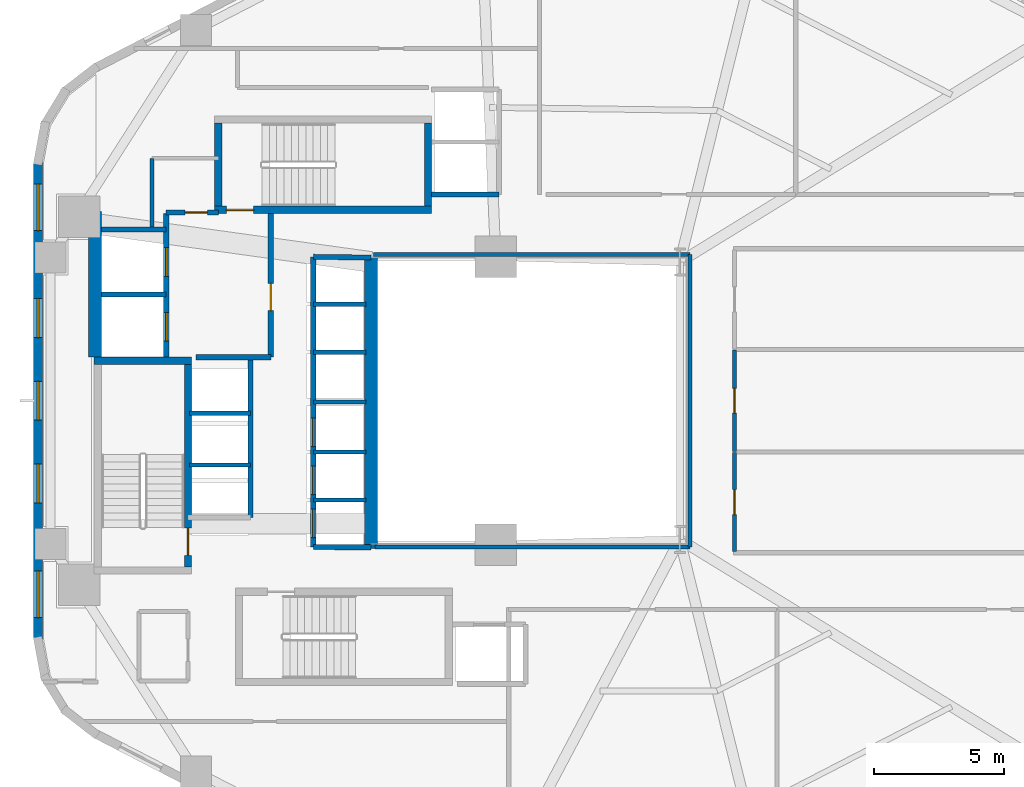
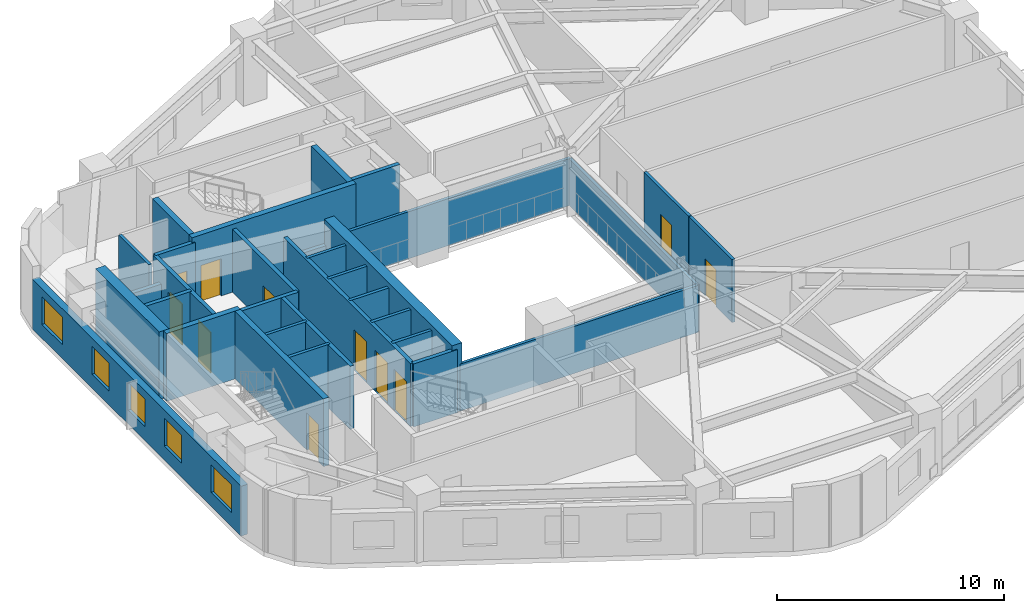
# One storey, part 3 of 7: 32 walls, 11 doors, 5 windows, 16 openings.
"""IFC4 building model written with IfcOpenShell, lengths in metres."""

from ifc_helpers import new_model, si_unit, direction, frame, frame_2d, origin, place, context, subcontext, project, spatial, rectangle, extrude, material, layer, layer_set, type_object, element, fill, save


model = new_model("IFC4")

# Units and contexts
model_context = context("Model", 3, precision=1e-05, world=origin(), true_north=direction((0.0, 1.0)))
body_context = subcontext(model_context, "Body", "Model", "MODEL_VIEW")
ifc_project = project(units=[si_unit("LENGTHUNIT", "METRE"), si_unit("AREAUNIT", "SQUARE_METRE"), si_unit("VOLUMEUNIT", "CUBIC_METRE"), si_unit("PLANEANGLEUNIT", "RADIAN"), si_unit("MASSUNIT", "GRAM", prefix="KILO"), si_unit("THERMODYNAMICTEMPERATUREUNIT", "KELVIN"), si_unit("POWERUNIT", "WATT")], contexts=[model_context])

# Site, building, storey
site_placement = place(None, origin())
site = spatial("IfcSite", under=ifc_project, at=site_placement, CompositionType="ELEMENT")
building_placement = place(site_placement, origin())
building = spatial("IfcBuilding", under=site, at=building_placement, Name="Skarre Station Tower", CompositionType="ELEMENT")
storey_placement = place(building_placement, frame((0.0, 0.0, 70.800048828125)))
storey = spatial("IfcBuildingStorey", under=building, at=storey_placement, Name="L18", CompositionType="ELEMENT", Elevation=70.800048828125)

# Walls
ifc_material_1 = material(Name="Acoustic Steel-Stud Gypsum Partition", Category="steel")
ifc_layer_1 = layer(ifc_material_1, 0.14990234375, Name="Acoustic Steel-Stud Gypsum Partition")
ifc_layer_set_1 = layer_set([ifc_layer_1], Name="Acoustic Steel-Stud Gypsum Partition")
wall_type_1 = type_object("IfcWallType", Name="Fire-Rated Corridor Acoustic Partition 150", PredefinedType="PARTITIONING", material=ifc_layer_set_1)
wall_1_placement = place(storey_placement, frame((19.10009765625, 33.35009765625, 0.0), z_axis=(0.0, 0.0, 1.0), x_axis=(0.0, -1.0, 0.0)))
element("IfcWall", 1, at=wall_1_placement, inside=storey, type_object=wall_type_1, Name="L18 Interior Partition WL-PT-L18-CNW-W", PredefinedType="PARTITIONING", context=body_context, shape_type="SweptSolid", body=[
    extrude(rectangle(XDim=2.655029296875, YDim=0.14990234375, at=frame_2d((1.32763671875, 0.0))), origin(), (0.0, 0.0, 1.0), 3.389892578125),
])
wall_2_placement = place(storey_placement, frame((27.699951171875, 18.360107421875, 0.0), z_axis=(0.0, 0.0, 1.0), x_axis=(1.0, 0.0, 0.0)))
element("IfcWall", 2, at=wall_2_placement, inside=storey, type_object=wall_type_1, Name="L18 Interior Partition WL-PT-L18-ATRW-S", PredefinedType="PARTITIONING", context=body_context, shape_type="SweptSolid", body=[
    extrude(rectangle(XDim=12.14013671875, YDim=0.14990234375, at=frame_2d((6.070068359375, 0.0))), origin(), (0.0, 0.0, 1.0), 2.531005859375),
])
wall_3_placement = place(storey_placement, frame((39.840087890625, 29.639892578125, 0.0), z_axis=(0.0, 0.0, 1.0), x_axis=(-1.0, 0.0, 0.0)))
element("IfcWall", 3, at=wall_3_placement, inside=storey, type_object=wall_type_1, Name="L18 Interior Partition WL-PT-L18-ATRW-N", PredefinedType="PARTITIONING", context=body_context, shape_type="SweptSolid", body=[
    extrude(rectangle(XDim=12.2001953125, YDim=0.14990234375, at=frame_2d((6.10009765625, 0.0))), origin(), (0.0, 0.0, 1.0), 2.531005859375),
])
wall_4_placement = place(storey_placement, frame((39.840087890625, 18.360107421875, 0.0), z_axis=(0.0, 0.0, 1.0), x_axis=(0.0, 1.0, 0.0)))
element("IfcWall", 4, at=wall_4_placement, inside=storey, type_object=wall_type_1, Name="L18 Interior Partition WL-PT-L18-ATRW-E", PredefinedType="PARTITIONING", context=body_context, shape_type="SweptSolid", body=[
    extrude(rectangle(XDim=11.27978515625, YDim=0.14990234375, at=frame_2d((5.639892578125, 0.0))), origin(), (0.0, 0.0, 1.0), 2.512939453125),
])

# Wall, opening, door
wall_5_placement = place(storey_placement, frame((41.56005859375, 18.179931640625, 0.0), z_axis=(0.0, 0.0, 1.0), x_axis=(0.0, 1.0, 0.0)))
wall_5 = element("IfcWall", 5, at=wall_5_placement, inside=storey, type_object=wall_type_1, Name="L18 Interior Partition WL-PT-L18-EW1-CW", PredefinedType="PARTITIONING", context=body_context, shape_type="SweptSolid", body=[
    extrude(rectangle(XDim=3.822998046875, YDim=0.14990234375, at=frame_2d((1.91162109375, 0.0))), origin(), (0.0, 0.0, 1.0), 3.389892578125),
])
opening_1_placement = place(wall_5_placement, frame((1.431884765625, 0.0, 0.0)))
opening_1 = element("IfcOpeningElement", 6, at=opening_1_placement, cuts=wall_5, Name="Opening DR-FD60", PredefinedType="OPENING", context=body_context, shape_type="SweptSolid", body=[
    extrude(rectangle(XDim=0.9599609375, YDim=2.0, at=frame_2d((0.47998046875, 1.0))), frame((0.0, 0.0849609375, 0.0), z_axis=(0.0, -1.0, 0.0), x_axis=(1.0, 0.0, 0.0)), (0.0, 0.0, 1.0), 0.169921875),
])
ifc_material_2 = material(Name="Nordic White-Oak Veneer Solid-Core Fire Leaf", Category="wood")
door_type_1 = type_object("IfcDoorType", Name="Corridor Suite Entry Fire Door FD60 960x2150", OperationType="SINGLE_SWING_LEFT", PredefinedType="DOOR", material=ifc_material_2)
door_1_placement = place(opening_1_placement, origin())
door_1 = element("IfcDoor", 7, at=door_1_placement, inside=storey, type_object=door_type_1, Name="L18 EW1 Entry Door", OperationType="SINGLE_SWING_LEFT", OverallHeight=2.0, OverallWidth=0.9599609375, PredefinedType="DOOR", context=body_context, shape_type="SweptSolid", body=[
    extrude(rectangle(XDim=0.9599609375, YDim=2.0, at=frame_2d((0.47998046875, 1.0))), frame((0.0, 0.02490234375, 0.0), z_axis=(0.0, -1.0, 0.0), x_axis=(1.0, 0.0, 0.0)), (0.0, 0.0, 1.0), 0.050048828125),
])
fill(opening_1, door_1)

wall_6_placement = place(storey_placement, frame((41.56005859375, 22.0390625, 0.0), z_axis=(0.0, 0.0, 1.0), x_axis=(0.0, 1.0, 0.0)))
wall_6 = element("IfcWall", 8, at=wall_6_placement, inside=storey, type_object=wall_type_1, Name="L18 Interior Partition WL-PT-L18-EW2-CW", PredefinedType="PARTITIONING", context=body_context, shape_type="SweptSolid", body=[
    extrude(rectangle(XDim=3.921875, YDim=0.14990234375, at=frame_2d((1.9609375, 0.0))), origin(), (0.0, 0.0, 1.0), 3.389892578125),
])
opening_2_placement = place(wall_6_placement, frame((1.48095703125, 0.0, 0.0)))
opening_2 = element("IfcOpeningElement", 9, at=opening_2_placement, cuts=wall_6, Name="Opening DR-FD60", PredefinedType="OPENING", context=body_context, shape_type="SweptSolid", body=[
    extrude(rectangle(XDim=0.9599609375, YDim=2.0, at=frame_2d((0.47998046875, 1.0))), frame((0.0, 0.0849609375, 0.0), z_axis=(0.0, -1.0, 0.0), x_axis=(1.0, 0.0, 0.0)), (0.0, 0.0, 1.0), 0.169921875),
])
door_2_placement = place(opening_2_placement, origin())
door_2 = element("IfcDoor", 10, at=door_2_placement, inside=storey, type_object=door_type_1, Name="L18 EW2 Entry Door", OperationType="SINGLE_SWING_LEFT", OverallHeight=2.0, OverallWidth=0.9599609375, PredefinedType="DOOR", context=body_context, shape_type="SweptSolid", body=[
    extrude(rectangle(XDim=0.9599609375, YDim=2.0, at=frame_2d((0.47998046875, 1.0))), frame((0.0, 0.02490234375, 0.0), z_axis=(0.0, -1.0, 0.0), x_axis=(1.0, 0.0, 0.0)), (0.0, 0.0, 1.0), 0.050048828125),
])
fill(opening_2, door_2)

# Wall, openings, windows
ifc_material_3 = material(Name="Precast concrete C45/55", Category="concrete")
ifc_layer_2 = layer(ifc_material_3, 0.340087890625, Name="Precast concrete C45/55")
ifc_layer_set_2 = layer_set([ifc_layer_2], Name="Precast concrete C45/55")
wall_type_2 = type_object("IfcWallType", Name="Nordic Honed Precast Facet Wall 340", PredefinedType="STANDARD", material=ifc_layer_set_2)
wall_7_placement = place(storey_placement, frame((14.70703125, 14.798095703125, 0.0), z_axis=(0.0, 0.0, 1.0), x_axis=(0.0, 1.0, 0.0)))
wall_7 = element("IfcWall", 11, at=wall_7_placement, inside=storey, type_object=wall_type_2, Name="L18 Facet 2 Nordic Precast Masonry Wall", PredefinedType="STANDARD", context=body_context, shape_type="SweptSolid", body=[
    extrude(rectangle(XDim=18.40380859375, YDim=0.340087890625, at=frame_2d((9.201904296875, 0.0))), origin(), (0.0, 0.0, 1.0), 2.683837890625),
])
opening_3_placement = place(wall_7_placement, frame((0.844970703125, 0.0, 0.75)))
opening_3 = element("IfcOpeningElement", 12, at=opening_3_placement, cuts=wall_7, Name="Opening WN-Z1A", PredefinedType="OPENING", context=body_context, shape_type="SweptSolid", body=[
    extrude(rectangle(XDim=1.800048828125, YDim=1.5, at=frame_2d((0.89990234375, 0.75))), frame((0.0, 0.179931640625, 0.0), z_axis=(0.0, -1.0, 0.0), x_axis=(1.0, 0.0, 0.0)), (0.0, 0.0, 1.0), 0.360107421875),
])
opening_4_placement = place(wall_7_placement, frame((5.264892578125, 0.0, 0.75)))
opening_4 = element("IfcOpeningElement", 13, at=opening_4_placement, cuts=wall_7, Name="Opening WN-Z1B", PredefinedType="OPENING", context=body_context, shape_type="SweptSolid", body=[
    extrude(rectangle(XDim=1.5, YDim=1.5, at=frame_2d((0.75, 0.75))), frame((0.0, 0.179931640625, 0.0), z_axis=(0.0, -1.0, 0.0), x_axis=(1.0, 0.0, 0.0)), (0.0, 0.0, 1.0), 0.360107421875),
])
opening_5_placement = place(wall_7_placement, frame((8.451904296875, 0.0, 0.75)))
opening_5 = element("IfcOpeningElement", 14, at=opening_5_placement, cuts=wall_7, Name="Opening WN-Z1B", PredefinedType="OPENING", context=body_context, shape_type="SweptSolid", body=[
    extrude(rectangle(XDim=1.5, YDim=1.5, at=frame_2d((0.75, 0.75))), frame((0.0, 0.179931640625, 0.0), z_axis=(0.0, -1.0, 0.0), x_axis=(1.0, 0.0, 0.0)), (0.0, 0.0, 1.0), 0.360107421875),
])
opening_6_placement = place(wall_7_placement, frame((11.638916015625, 0.0, 0.75)))
opening_6 = element("IfcOpeningElement", 15, at=opening_6_placement, cuts=wall_7, Name="Opening WN-Z1B", PredefinedType="OPENING", context=body_context, shape_type="SweptSolid", body=[
    extrude(rectangle(XDim=1.5, YDim=1.5, at=frame_2d((0.75, 0.75))), frame((0.0, 0.179931640625, 0.0), z_axis=(0.0, -1.0, 0.0), x_axis=(1.0, 0.0, 0.0)), (0.0, 0.0, 1.0), 0.360107421875),
])
opening_7_placement = place(wall_7_placement, frame((15.758056640625, 0.0, 0.75)))
opening_7 = element("IfcOpeningElement", 16, at=opening_7_placement, cuts=wall_7, Name="Opening WN-Z1A", PredefinedType="OPENING", context=body_context, shape_type="SweptSolid", body=[
    extrude(rectangle(XDim=1.800048828125, YDim=1.5, at=frame_2d((0.89990234375, 0.75))), frame((0.0, 0.179931640625, 0.0), z_axis=(0.0, -1.0, 0.0), x_axis=(1.0, 0.0, 0.0)), (0.0, 0.0, 1.0), 0.360107421875),
])
ifc_material_4 = material(Name="Low-Iron Triple Glazing with Bronze Anodized Frame", Category="glass")
window_type_1 = type_object("IfcWindowType", Name="Nordic Punched Triple-Glazed Window 1500x1500", PartitioningType="SINGLE_PANEL", PredefinedType="WINDOW", material=ifc_material_4)
window_1_placement = place(opening_4_placement, origin())
window_1 = element("IfcWindow", 17, at=window_1_placement, inside=storey, type_object=window_type_1, Name="L18 Facade Window WL-FAC-L18-F2-2", OverallHeight=1.5, OverallWidth=1.5, PartitioningType="SINGLE_PANEL", PredefinedType="WINDOW", context=body_context, shape_type="SweptSolid", body=[
    extrude(rectangle(XDim=1.5, YDim=1.5, at=frame_2d((0.75, 0.75))), frame((0.0, 0.030029296875, 0.0), z_axis=(0.0, -1.0, 0.0), x_axis=(1.0, 0.0, 0.0)), (0.0, 0.0, 1.0), 0.06005859375),
])
fill(opening_4, window_1)
window_2_placement = place(opening_5_placement, origin())
window_2 = element("IfcWindow", 18, at=window_2_placement, inside=storey, type_object=window_type_1, Name="L18 Facade Window WL-FAC-L18-F2-3", OverallHeight=1.5, OverallWidth=1.5, PartitioningType="SINGLE_PANEL", PredefinedType="WINDOW", context=body_context, shape_type="SweptSolid", body=[
    extrude(rectangle(XDim=1.5, YDim=1.5, at=frame_2d((0.75, 0.75))), frame((0.0, 0.030029296875, 0.0), z_axis=(0.0, -1.0, 0.0), x_axis=(1.0, 0.0, 0.0)), (0.0, 0.0, 1.0), 0.06005859375),
])
fill(opening_5, window_2)
window_3_placement = place(opening_6_placement, origin())
window_3 = element("IfcWindow", 19, at=window_3_placement, inside=storey, type_object=window_type_1, Name="L18 Facade Window WL-FAC-L18-F2-4", OverallHeight=1.5, OverallWidth=1.5, PartitioningType="SINGLE_PANEL", PredefinedType="WINDOW", context=body_context, shape_type="SweptSolid", body=[
    extrude(rectangle(XDim=1.5, YDim=1.5, at=frame_2d((0.75, 0.75))), frame((0.0, 0.030029296875, 0.0), z_axis=(0.0, -1.0, 0.0), x_axis=(1.0, 0.0, 0.0)), (0.0, 0.0, 1.0), 0.06005859375),
])
fill(opening_6, window_3)
window_type_2 = type_object("IfcWindowType", Name="Nordic Punched Triple-Glazed Window 1800x1500", PartitioningType="SINGLE_PANEL", PredefinedType="WINDOW", material=ifc_material_4)
window_4_placement = place(opening_3_placement, origin())
window_4 = element("IfcWindow", 20, at=window_4_placement, inside=storey, type_object=window_type_2, Name="L18 Facade Window WL-FAC-L18-F2-1", OverallHeight=1.5, OverallWidth=1.800048828125, PartitioningType="SINGLE_PANEL", PredefinedType="WINDOW", context=body_context, shape_type="SweptSolid", body=[
    extrude(rectangle(XDim=1.800048828125, YDim=1.5, at=frame_2d((0.89990234375, 0.75))), frame((0.0, 0.030029296875, 0.0), z_axis=(0.0, -1.0, 0.0), x_axis=(1.0, 0.0, 0.0)), (0.0, 0.0, 1.0), 0.06005859375),
])
fill(opening_3, window_4)
window_5_placement = place(opening_7_placement, origin())
window_5 = element("IfcWindow", 21, at=window_5_placement, inside=storey, type_object=window_type_2, Name="L18 Facade Window WL-FAC-L18-F2-5", OverallHeight=1.5, OverallWidth=1.800048828125, PartitioningType="SINGLE_PANEL", PredefinedType="WINDOW", context=body_context, shape_type="SweptSolid", body=[
    extrude(rectangle(XDim=1.800048828125, YDim=1.5, at=frame_2d((0.89990234375, 0.75))), frame((0.0, 0.030029296875, 0.0), z_axis=(0.0, -1.0, 0.0), x_axis=(1.0, 0.0, 0.0)), (0.0, 0.0, 1.0), 0.06005859375),
])
fill(opening_7, window_5)

# Wall
ifc_material_5 = material(Name="Concrete C50/60", Category="concrete")
ifc_layer_3 = layer(ifc_material_5, 0.280029296875, Name="Concrete C50/60")
ifc_layer_set_3 = layer_set([ifc_layer_3], Name="Concrete C50/60")
wall_type_3 = type_object("IfcWallType", Name="RC Core Shear Wall 280", PredefinedType="SHEAR", material=ifc_layer_set_3)
wall_8_placement = place(storey_placement, frame((20.6298828125, 25.5400390625, 0.0), z_axis=(0.0, 0.0, 1.0), x_axis=(-1.0, 0.0, 0.0)))
element("IfcWall", 22, at=wall_8_placement, inside=storey, type_object=wall_type_3, Name="L18 Stair ST-1 North Shear Wall", PredefinedType="SHEAR", context=body_context, shape_type="SweptSolid", body=[
    extrude(rectangle(XDim=3.759765625, YDim=0.280029296875, at=frame_2d((1.8798828125, 0.0))), origin(), (0.0, 0.0, 1.0), 3.64990234375),
])

# Wall, opening, door
wall_9_placement = place(storey_placement, frame((20.489990234375, 17.60009765625, 0.0), z_axis=(0.0, 0.0, 1.0), x_axis=(0.0, 1.0, 0.0)))
wall_9 = element("IfcWall", 23, at=wall_9_placement, inside=storey, type_object=wall_type_3, Name="L18 Stair ST-1 East Shear Wall", PredefinedType="SHEAR", context=body_context, shape_type="SweptSolid", body=[
    extrude(rectangle(XDim=7.7998046875, YDim=0.280029296875, at=frame_2d((3.89990234375, 0.0))), origin(), (0.0, 0.0, 1.0), 3.64990234375),
])
opening_8_placement = place(wall_9_placement, frame((0.43994140625, 0.0, 0.0)))
opening_8 = element("IfcOpeningElement", 24, at=opening_8_placement, cuts=wall_9, Name="Opening DR-FD90", PredefinedType="OPENING", context=body_context, shape_type="SweptSolid", body=[
    extrude(rectangle(XDim=1.050048828125, YDim=2.0, at=frame_2d((0.52490234375, 1.0))), frame((0.0, 0.14990234375, 0.0), z_axis=(0.0, -1.0, 0.0), x_axis=(1.0, 0.0, 0.0)), (0.0, 0.0, 1.0), 0.300048828125),
])
ifc_material_6 = material(Name="Fire-Rated Insulated Steel Frame & Timber Core Leaf", Category="steel")
door_type_2 = type_object("IfcDoorType", Name="Stair & FSAE Lobby Fire Door FD90 1050x2150", OperationType="SINGLE_SWING_RIGHT", PredefinedType="DOOR", material=ifc_material_6)
door_3_placement = place(opening_8_placement, origin())
door_3 = element("IfcDoor", 25, at=door_3_placement, inside=storey, type_object=door_type_2, Name="L18 Stair ST-1 Exit Door", OperationType="SINGLE_SWING_RIGHT", OverallHeight=2.0, OverallWidth=1.050048828125, PredefinedType="DOOR", context=body_context, shape_type="SweptSolid", body=[
    extrude(rectangle(XDim=1.050048828125, YDim=2.0, at=frame_2d((0.52490234375, 1.0))), frame((0.0, 0.02490234375, 0.0), z_axis=(0.0, -1.0, 0.0), x_axis=(1.0, 0.0, 0.0)), (0.0, 0.0, 1.0), 0.050048828125),
])
fill(opening_8, door_3)

wall_10_placement = place(storey_placement, frame((21.52001953125, 31.360107421875, 0.0), z_axis=(0.0, 0.0, 1.0), x_axis=(1.0, 0.0, 0.0)))
wall_10 = element("IfcWall", 26, at=wall_10_placement, inside=storey, type_object=wall_type_3, Name="L18 Stair ST-3 South Shear Wall", PredefinedType="SHEAR", context=body_context, shape_type="SweptSolid", body=[
    extrude(rectangle(XDim=8.35986328125, YDim=0.280029296875, at=frame_2d((4.179931640625, 0.0))), origin(), (0.0, 0.0, 1.0), 3.64990234375),
])
opening_9_placement = place(wall_10_placement, frame((0.449951171875, 0.0, 0.0)))
opening_9 = element("IfcOpeningElement", 27, at=opening_9_placement, cuts=wall_10, Name="Opening DR-FD90", PredefinedType="OPENING", context=body_context, shape_type="SweptSolid", body=[
    extrude(rectangle(XDim=1.050048828125, YDim=2.0, at=frame_2d((0.52490234375, 1.0))), frame((0.0, 0.14990234375, 0.0), z_axis=(0.0, -1.0, 0.0), x_axis=(1.0, 0.0, 0.0)), (0.0, 0.0, 1.0), 0.300048828125),
])
door_4_placement = place(opening_9_placement, origin())
door_4 = element("IfcDoor", 28, at=door_4_placement, inside=storey, type_object=door_type_2, Name="L18 Stair ST-3 & FSAE Lobby Direct Exit Door", OperationType="SINGLE_SWING_LEFT", OverallHeight=2.0, OverallWidth=1.050048828125, PredefinedType="DOOR", context=body_context, shape_type="SweptSolid", body=[
    extrude(rectangle(XDim=1.050048828125, YDim=2.0, at=frame_2d((0.52490234375, 1.0))), frame((0.0, 0.02490234375, 0.0), z_axis=(0.0, -1.0, 0.0), x_axis=(1.0, 0.0, 0.0)), (0.0, 0.0, 1.0), 0.050048828125),
])
fill(opening_9, door_4)

# Walls
for number, where, z_axis, x_axis, name in (
    (29, (21.659912109375, 34.699951171875, 0.0), (0.0, 0.0, 1.0), (0.0, -1.0, 0.0), "L18 Stair ST-3 West Shear Wall"),
    (30, (29.739990234375, 31.5, 0.0), (0.0, 0.0, 1.0), (0.0, 1.0, 0.0), "L18 Stair ST-3 East Shear Wall"),
):
    element("IfcWall", number, at=place(storey_placement, frame(where, z_axis=z_axis, x_axis=x_axis)), inside=storey, type_object=wall_type_3, Name=name, PredefinedType="SHEAR", context=body_context, shape_type="SweptSolid", body=[
        extrude(rectangle(XDim=3.199951171875, YDim=0.280029296875, at=frame_2d((1.60009765625, 0.0))), origin(), (0.0, 0.0, 1.0), 3.64990234375),
    ])
ifc_material_7 = material(Name="Concrete C70/85", Category="concrete")
ifc_layer_4 = layer(ifc_material_7, 0.5, Name="Concrete C70/85")
ifc_layer_set_4 = layer_set([ifc_layer_4], Name="Concrete C70/85")
wall_type_4 = type_object("IfcWallType", Name="RC Core Shear Wall 500", PredefinedType="SHEAR", material=ifc_layer_set_4)
wall_11_placement = place(storey_placement, frame((16.89990234375, 25.679931640625, 0.0), z_axis=(0.0, 0.0, 1.0), x_axis=(0.0, 1.0, 0.0)))
element("IfcWall", 31, at=wall_11_placement, inside=storey, type_object=wall_type_4, Name="L18 Core West-North Shear Wall", PredefinedType="SHEAR", context=body_context, shape_type="SweptSolid", body=[
    extrude(rectangle(XDim=5.6201171875, YDim=0.5, at=frame_2d((2.81005859375, 0.0))), origin(), (0.0, 0.0, 1.0), 3.64990234375),
])
wall_12_placement = place(storey_placement, frame((27.550048828125, 29.550048828125, 0.0), z_axis=(0.0, 0.0, 1.0), x_axis=(0.0, -1.0, 0.0)))
element("IfcWall", 32, at=wall_12_placement, inside=storey, type_object=wall_type_4, Name="L18 Core East Atrium Shear Wall", PredefinedType="SHEAR", context=body_context, shape_type="SweptSolid", body=[
    extrude(rectangle(XDim=11.25, YDim=0.5, at=frame_2d((5.625, 0.0))), origin(), (0.0, 0.0, 1.0), 3.64990234375),
])

# Wall, openings, doors
ifc_material_8 = material(Name="Gypsum Concrete Shaft Assembly C30/37", Category="concrete")
ifc_layer_5 = layer(ifc_material_8, 0.199951171875, Name="Gypsum Concrete Shaft Assembly C30/37")
ifc_layer_set_5 = layer_set([ifc_layer_5], Name="Gypsum Concrete Shaft Assembly C30/37")
wall_type_5 = type_object("IfcWallType", Name="Shaft & Core Fire Partition 200", PredefinedType="PARTITIONING", material=ifc_layer_set_5)
wall_13_placement = place(storey_placement, frame((19.64990234375, 25.679931640625, 0.0), z_axis=(0.0, 0.0, 1.0), x_axis=(0.0, 1.0, 0.0)))
wall_13 = element("IfcWall", 33, at=wall_13_placement, inside=storey, type_object=wall_type_5, Name="L18 Interior Partition WL-PT-L18-FSAE-W", PredefinedType="PARTITIONING", context=body_context, shape_type="SweptSolid", body=[
    extrude(rectangle(XDim=5.5400390625, YDim=0.199951171875, at=frame_2d((2.77001953125, 0.0))), origin(), (0.0, 0.0, 1.0), 3.389892578125),
])
opening_10_placement = place(wall_13_placement, frame((0.6201171875, 0.0, 0.0)))
opening_10 = element("IfcOpeningElement", 34, at=opening_10_placement, cuts=wall_13, Name="Opening LD-FF1", PredefinedType="OPENING", context=body_context, shape_type="SweptSolid", body=[
    extrude(rectangle(XDim=1.10009765625, YDim=2.199951171875, at=frame_2d((0.550048828125, 1.10009765625))), frame((0.0, 0.10986328125, 0.0), z_axis=(0.0, -1.0, 0.0), x_axis=(1.0, 0.0, 0.0)), (0.0, 0.0, 1.0), 0.219970703125),
])
opening_11_placement = place(wall_13_placement, frame((3.1201171875, 0.0, 0.0)))
opening_11 = element("IfcOpeningElement", 35, at=opening_11_placement, cuts=wall_13, Name="Opening LD-FF2", PredefinedType="OPENING", context=body_context, shape_type="SweptSolid", body=[
    extrude(rectangle(XDim=1.10009765625, YDim=2.199951171875, at=frame_2d((0.550048828125, 1.10009765625))), frame((0.0, 0.10986328125, 0.0), z_axis=(0.0, -1.0, 0.0), x_axis=(1.0, 0.0, 0.0)), (0.0, 0.0, 1.0), 0.219970703125),
])
ifc_material_9 = material(Name="Fire-Rated Stainless Steel Grade 316L Sliding Leaves", Category="steel")
door_type_3 = type_object("IfcDoorType", Name="Fire Service Access Elevator Sliding Landing Door 1100x2200", OperationType="SLIDING_TO_LEFT", PredefinedType="DOOR", material=ifc_material_9)
door_5_placement = place(opening_10_placement, origin())
door_5 = element("IfcDoor", 36, at=door_5_placement, inside=storey, type_object=door_type_3, Name="L18 Firefighting Lift LF-FF1 Landing Door", OperationType="SLIDING_TO_LEFT", OverallHeight=2.199951171875, OverallWidth=1.10009765625, PredefinedType="DOOR", context=body_context, shape_type="SweptSolid", body=[
    extrude(rectangle(XDim=1.10009765625, YDim=2.199951171875, at=frame_2d((0.550048828125, 1.10009765625))), frame((0.0, 0.02490234375, 0.0), z_axis=(0.0, -1.0, 0.0), x_axis=(1.0, 0.0, 0.0)), (0.0, 0.0, 1.0), 0.050048828125),
])
fill(opening_10, door_5)
door_6_placement = place(opening_11_placement, origin())
door_6 = element("IfcDoor", 37, at=door_6_placement, inside=storey, type_object=door_type_3, Name="L18 Firefighting Lift LF-FF2 Landing Door", OperationType="SLIDING_TO_LEFT", OverallHeight=2.199951171875, OverallWidth=1.10009765625, PredefinedType="DOOR", context=body_context, shape_type="SweptSolid", body=[
    extrude(rectangle(XDim=1.10009765625, YDim=2.199951171875, at=frame_2d((0.550048828125, 1.10009765625))), frame((0.0, 0.02490234375, 0.0), z_axis=(0.0, -1.0, 0.0), x_axis=(1.0, 0.0, 0.0)), (0.0, 0.0, 1.0), 0.050048828125),
])
fill(opening_11, door_6)

# Wall
wall_14_placement = place(storey_placement, frame((20.79296875, 25.679931640625, 0.0), z_axis=(0.0, 0.0, 1.0), x_axis=(1.0, 0.0, 0.0)))
element("IfcWall", 38, at=wall_14_placement, inside=storey, type_object=wall_type_5, Name="L18 Interior Partition WL-PT-L18-FSAE-S", PredefinedType="PARTITIONING", context=body_context, shape_type="SweptSolid", body=[
    extrude(rectangle(XDim=2.886962890625, YDim=0.199951171875, at=frame_2d((1.443359375, 0.0))), origin(), (0.0, 0.0, 1.0), 3.389892578125),
])

# Wall, opening, door
wall_15_placement = place(storey_placement, frame((23.679931640625, 25.679931640625, 0.0), z_axis=(0.0, 0.0, 1.0), x_axis=(0.0, 1.0, 0.0)))
wall_15 = element("IfcWall", 39, at=wall_15_placement, inside=storey, type_object=wall_type_5, Name="L18 Interior Partition WL-PT-L18-FSAE-E", PredefinedType="PARTITIONING", context=body_context, shape_type="SweptSolid", body=[
    extrude(rectangle(XDim=5.5400390625, YDim=0.199951171875, at=frame_2d((2.77001953125, 0.0))), origin(), (0.0, 0.0, 1.0), 3.389892578125),
])
opening_12_placement = place(wall_15_placement, frame((1.800048828125, 0.0, 0.0)))
opening_12 = element("IfcOpeningElement", 40, at=opening_12_placement, cuts=wall_15, Name="Opening DR-FD90", PredefinedType="OPENING", context=body_context, shape_type="SweptSolid", body=[
    extrude(rectangle(XDim=1.050048828125, YDim=2.0, at=frame_2d((0.52490234375, 1.0))), frame((0.0, 0.10986328125, 0.0), z_axis=(0.0, -1.0, 0.0), x_axis=(1.0, 0.0, 0.0)), (0.0, 0.0, 1.0), 0.219970703125),
])
door_7_placement = place(opening_12_placement, origin())
door_7 = element("IfcDoor", 41, at=door_7_placement, inside=storey, type_object=door_type_2, Name="L18 FSAE Lobby Fire Door", OperationType="SINGLE_SWING_RIGHT", OverallHeight=2.0, OverallWidth=1.050048828125, PredefinedType="DOOR", context=body_context, shape_type="SweptSolid", body=[
    extrude(rectangle(XDim=1.050048828125, YDim=2.0, at=frame_2d((0.52490234375, 1.0))), frame((0.0, 0.02490234375, 0.0), z_axis=(0.0, -1.0, 0.0), x_axis=(1.0, 0.0, 0.0)), (0.0, 0.0, 1.0), 0.050048828125),
])
fill(opening_12, door_7)

wall_16_placement = place(storey_placement, frame((21.659912109375, 31.260009765625, 0.0), z_axis=(0.0, 0.0, 1.0), x_axis=(-1.0, 0.0, 0.0)))
wall_16 = element("IfcWall", 42, at=wall_16_placement, inside=storey, type_object=wall_type_5, Name="L18 Interior Partition WL-PT-L18-FSAE-N", PredefinedType="PARTITIONING", context=body_context, shape_type="SweptSolid", body=[
    extrude(rectangle(XDim=2.010009765625, YDim=0.199951171875, at=frame_2d((1.0048828125, 0.0))), origin(), (0.0, 0.0, 1.0), 3.389892578125),
])
opening_13_placement = place(wall_16_placement, frame((0.419921875, 0.0, 0.0)))
opening_13 = element("IfcOpeningElement", 43, at=opening_13_placement, cuts=wall_16, Name="Opening DR-SVC86", PredefinedType="OPENING", context=body_context, shape_type="SweptSolid", body=[
    extrude(rectangle(XDim=0.860107421875, YDim=2.0, at=frame_2d((0.43017578125, 1.0))), frame((0.0, 0.10986328125, 0.0), z_axis=(0.0, -1.0, 0.0), x_axis=(1.0, 0.0, 0.0)), (0.0, 0.0, 1.0), 0.219970703125),
])
ifc_material_10 = material(Name="Powder-Coated Hollow-Metal Acoustic Fire Leaf", Category="steel")
door_type_4 = type_object("IfcDoorType", Name="Compact Riser Fire Door FD60 860x2100", OperationType="SINGLE_SWING_LEFT", PredefinedType="DOOR", material=ifc_material_10)
door_8_placement = place(opening_13_placement, origin())
door_8 = element("IfcDoor", 44, at=door_8_placement, inside=storey, type_object=door_type_4, Name="L18 Core Service Room Lobby Door", OperationType="SINGLE_SWING_LEFT", OverallHeight=2.0, OverallWidth=0.860107421875, PredefinedType="DOOR", context=body_context, shape_type="SweptSolid", body=[
    extrude(rectangle(XDim=0.860107421875, YDim=2.0, at=frame_2d((0.43017578125, 1.0))), frame((0.0, 0.02490234375, 0.0), z_axis=(0.0, -1.0, 0.0), x_axis=(1.0, 0.0, 0.0)), (0.0, 0.0, 1.0), 0.050048828125),
])
fill(opening_13, door_8)

# Walls
wall_17_placement = place(storey_placement, frame((17.14990234375, 28.10009765625, 0.0), z_axis=(0.0, 0.0, 1.0), x_axis=(1.0, 0.0, 0.0)))
element("IfcWall", 45, at=wall_17_placement, inside=storey, type_object=wall_type_5, Name="L18 Interior Partition WL-PT-L18-FF-DIV", PredefinedType="PARTITIONING", context=body_context, shape_type="SweptSolid", body=[
    extrude(rectangle(XDim=2.5, YDim=0.199951171875, at=frame_2d((1.25, 0.0))), origin(), (0.0, 0.0, 1.0), 3.389892578125),
])
wall_18_placement = place(storey_placement, frame((19.64990234375, 30.60009765625, 0.0), z_axis=(0.0, 0.0, 1.0), x_axis=(-1.0, 0.0, 0.0)))
element("IfcWall", 46, at=wall_18_placement, inside=storey, type_object=wall_type_5, Name="L18 Interior Partition WL-PT-L18-FF-N", PredefinedType="PARTITIONING", context=body_context, shape_type="SweptSolid", body=[
    extrude(rectangle(XDim=2.5, YDim=0.199951171875, at=frame_2d((1.25, 0.0))), origin(), (0.0, 0.0, 1.0), 2.2900390625),
])
wall_19_placement = place(storey_placement, frame((32.47998046875, 31.949951171875, 0.0), z_axis=(0.0, 0.0, 1.0), x_axis=(-1.0, 0.0, 0.0)))
element("IfcWall", 47, at=wall_19_placement, inside=storey, type_object=wall_type_5, Name="L18 Interior Partition WL-PT-L18-EX-S", PredefinedType="PARTITIONING", context=body_context, shape_type="SweptSolid", body=[
    extrude(rectangle(XDim=2.60009765625, YDim=0.199951171875, at=frame_2d((1.300048828125, 0.0))), origin(), (0.0, 0.0, 1.0), 3.389892578125),
])
wall_20_placement = place(storey_placement, frame((22.89990234375, 19.5, 0.0), z_axis=(0.0, 0.0, 1.0), x_axis=(0.0, 1.0, 0.0)))
element("IfcWall", 48, at=wall_20_placement, inside=storey, type_object=wall_type_5, Name="L18 Interior Partition WL-PT-L18-B3-E", PredefinedType="PARTITIONING", context=body_context, shape_type="SweptSolid", body=[
    extrude(rectangle(XDim=6.0849609375, YDim=0.199951171875, at=frame_2d((3.04248046875, 0.0))), origin(), (0.0, 0.0, 1.0), 3.389892578125),
])
for number, where, z_axis, x_axis, name in (
    (49, (20.550048828125, 21.52001953125, 0.0), (0.0, 0.0, 1.0), (1.0, 0.0, 0.0), "L18 Interior Partition WL-PT-L18-B3-D1"),
    (50, (20.550048828125, 23.52001953125, 0.0), (0.0, 0.0, 1.0), (1.0, 0.0, 0.0), "L18 Interior Partition WL-PT-L18-B3-D2"),
):
    element("IfcWall", number, at=place(storey_placement, frame(where, z_axis=z_axis, x_axis=x_axis)), inside=storey, type_object=wall_type_5, Name=name, PredefinedType="PARTITIONING", context=body_context, shape_type="SweptSolid", body=[
        extrude(rectangle(XDim=2.349853515625, YDim=0.159912109375, at=frame_2d((1.1748046875, 0.0))), origin(), (0.0, 0.0, 1.0), 3.389892578125),
    ])

# Wall, openings, doors
wall_21_placement = place(storey_placement, frame((25.320068359375, 29.550048828125, 0.0), z_axis=(0.0, 0.0, 1.0), x_axis=(0.0, -1.0, 0.0)))
wall_21 = element("IfcWall", 51, at=wall_21_placement, inside=storey, type_object=wall_type_5, Name="L18 Interior Partition WL-PT-L18-B12-W", PredefinedType="PARTITIONING", context=body_context, shape_type="SweptSolid", body=[
    extrude(rectangle(XDim=11.18994140625, YDim=0.199951171875, at=frame_2d((5.594970703125, 0.0))), origin(), (0.0, 0.0, 1.0), 3.389892578125),
])
opening_14_placement = place(wall_21_placement, frame((6.219970703125, 0.0, 0.0)))
opening_14 = element("IfcOpeningElement", 52, at=opening_14_placement, cuts=wall_21, Name="Opening LD-P3", PredefinedType="OPENING", context=body_context, shape_type="SweptSolid", body=[
    extrude(rectangle(XDim=1.10009765625, YDim=2.199951171875, at=frame_2d((0.550048828125, 1.10009765625))), frame((0.0, 0.10986328125, 0.0), z_axis=(0.0, -1.0, 0.0), x_axis=(1.0, 0.0, 0.0)), (0.0, 0.0, 1.0), 0.219970703125),
])
opening_15_placement = place(wall_21_placement, frame((8.070068359375, 0.0, 0.0)))
opening_15 = element("IfcOpeningElement", 53, at=opening_15_placement, cuts=wall_21, Name="Opening LD-P2", PredefinedType="OPENING", context=body_context, shape_type="SweptSolid", body=[
    extrude(rectangle(XDim=1.10009765625, YDim=2.199951171875, at=frame_2d((0.550048828125, 1.10009765625))), frame((0.0, 0.10986328125, 0.0), z_axis=(0.0, -1.0, 0.0), x_axis=(1.0, 0.0, 0.0)), (0.0, 0.0, 1.0), 0.219970703125),
])
opening_16_placement = place(wall_21_placement, frame((9.72998046875, 0.0, 0.0)))
opening_16 = element("IfcOpeningElement", 54, at=opening_16_placement, cuts=wall_21, Name="Opening LD-P1", PredefinedType="OPENING", context=body_context, shape_type="SweptSolid", body=[
    extrude(rectangle(XDim=1.10009765625, YDim=2.199951171875, at=frame_2d((0.550048828125, 1.10009765625))), frame((0.0, 0.10986328125, 0.0), z_axis=(0.0, -1.0, 0.0), x_axis=(1.0, 0.0, 0.0)), (0.0, 0.0, 1.0), 0.219970703125),
])
ifc_material_11 = material(Name="Brushed Bronze Stainless Steel Sliding Leaves", Category="steel")
door_type_5 = type_object("IfcDoorType", Name="Passenger Elevator Center-Parting Sliding Door 1100x2200", OperationType="SLIDING_TO_LEFT", PredefinedType="DOOR", material=ifc_material_11)
door_9_placement = place(opening_14_placement, origin())
door_9 = element("IfcDoor", 55, at=door_9_placement, inside=storey, type_object=door_type_5, Name="L18 Passenger Lift LF-P3 Landing Door", OperationType="SLIDING_TO_LEFT", OverallHeight=2.199951171875, OverallWidth=1.10009765625, PredefinedType="DOOR", context=body_context, shape_type="SweptSolid", body=[
    extrude(rectangle(XDim=1.10009765625, YDim=2.199951171875, at=frame_2d((0.550048828125, 1.10009765625))), frame((0.0, 0.02490234375, 0.0), z_axis=(0.0, -1.0, 0.0), x_axis=(1.0, 0.0, 0.0)), (0.0, 0.0, 1.0), 0.050048828125),
])
fill(opening_14, door_9)
door_10_placement = place(opening_15_placement, origin())
door_10 = element("IfcDoor", 56, at=door_10_placement, inside=storey, type_object=door_type_5, Name="L18 Passenger Lift LF-P2 Landing Door", OperationType="SLIDING_TO_LEFT", OverallHeight=2.199951171875, OverallWidth=1.10009765625, PredefinedType="DOOR", context=body_context, shape_type="SweptSolid", body=[
    extrude(rectangle(XDim=1.10009765625, YDim=2.199951171875, at=frame_2d((0.550048828125, 1.10009765625))), frame((0.0, 0.02490234375, 0.0), z_axis=(0.0, -1.0, 0.0), x_axis=(1.0, 0.0, 0.0)), (0.0, 0.0, 1.0), 0.050048828125),
])
fill(opening_15, door_10)
door_11_placement = place(opening_16_placement, origin())
door_11 = element("IfcDoor", 57, at=door_11_placement, inside=storey, type_object=door_type_5, Name="L18 Passenger Lift LF-P1 Landing Door", OperationType="SLIDING_TO_LEFT", OverallHeight=2.199951171875, OverallWidth=1.10009765625, PredefinedType="DOOR", context=body_context, shape_type="SweptSolid", body=[
    extrude(rectangle(XDim=1.10009765625, YDim=2.199951171875, at=frame_2d((0.550048828125, 1.10009765625))), frame((0.0, 0.02490234375, 0.0), z_axis=(0.0, -1.0, 0.0), x_axis=(1.0, 0.0, 0.0)), (0.0, 0.0, 1.0), 0.050048828125),
])
fill(opening_16, door_11)

# Walls
wall_22_placement = place(storey_placement, frame((25.320068359375, 18.360107421875, 0.0), z_axis=(0.0, 0.0, 1.0), x_axis=(0.999989925833, -0.004488678231, 0.0)))
element("IfcWall", 58, at=wall_22_placement, inside=storey, type_object=wall_type_5, Name="L18 Interior Partition WL-PT-L18-B12-S", PredefinedType="PARTITIONING", context=body_context, shape_type="SweptSolid", body=[
    extrude(rectangle(XDim=2.22998046875, YDim=0.199951171875, at=frame_2d((1.114990234375, 0.0))), origin(), (0.0, 0.0, 1.0), 3.389892578125),
])
wall_23_placement = place(storey_placement, frame((27.550048828125, 29.52001953125, 0.0), z_axis=(0.0, 0.0, 1.0), x_axis=(-0.999909343457, 0.013464949556, 0.0)))
element("IfcWall", 59, at=wall_23_placement, inside=storey, type_object=wall_type_5, Name="L18 Interior Partition WL-PT-L18-B12-N", PredefinedType="PARTITIONING", context=body_context, shape_type="SweptSolid", body=[
    extrude(rectangle(XDim=2.230224609375, YDim=0.199951171875, at=frame_2d((1.115234375, 0.0))), origin(), (0.0, 0.0, 1.0), 2.2900390625),
])
for number, where, z_axis, x_axis, name in (
    (60, (25.320068359375, 20.169921875, 0.0), (0.0, 0.0, 1.0), (1.0, 0.0, 0.0), "L18 Interior Partition WL-PT-L18-B12-D201"),
    (61, (25.320068359375, 22.02001953125, 0.0), (0.0, 0.0, 1.0), (1.0, 0.0, 0.0), "L18 Interior Partition WL-PT-L18-B12-D220"),
    (62, (25.320068359375, 23.949951171875, 0.0), (0.0, 0.0, 1.0), (1.0, 0.0, 0.0), "L18 Interior Partition WL-PT-L18-B12-D239"),
    (63, (25.320068359375, 25.8701171875, 0.0), (0.0, 0.0, 1.0), (1.0, 0.0, 0.0), "L18 Interior Partition WL-PT-L18-B12-D258"),
    (64, (25.320068359375, 27.719970703125, 0.0), (0.0, 0.0, 1.0), (1.0, 0.0, 0.0), "L18 Interior Partition WL-PT-L18-B12-D277"),
):
    element("IfcWall", number, at=place(storey_placement, frame(where, z_axis=z_axis, x_axis=x_axis)), inside=storey, type_object=wall_type_5, Name=name, PredefinedType="PARTITIONING", context=body_context, shape_type="SweptSolid", body=[
        extrude(rectangle(XDim=2.030029296875, YDim=0.159912109375, at=frame_2d((1.01513671875, 0.0))), origin(), (0.0, 0.0, 1.0), 3.389892578125),
    ])

save(model, "model.ifc")
